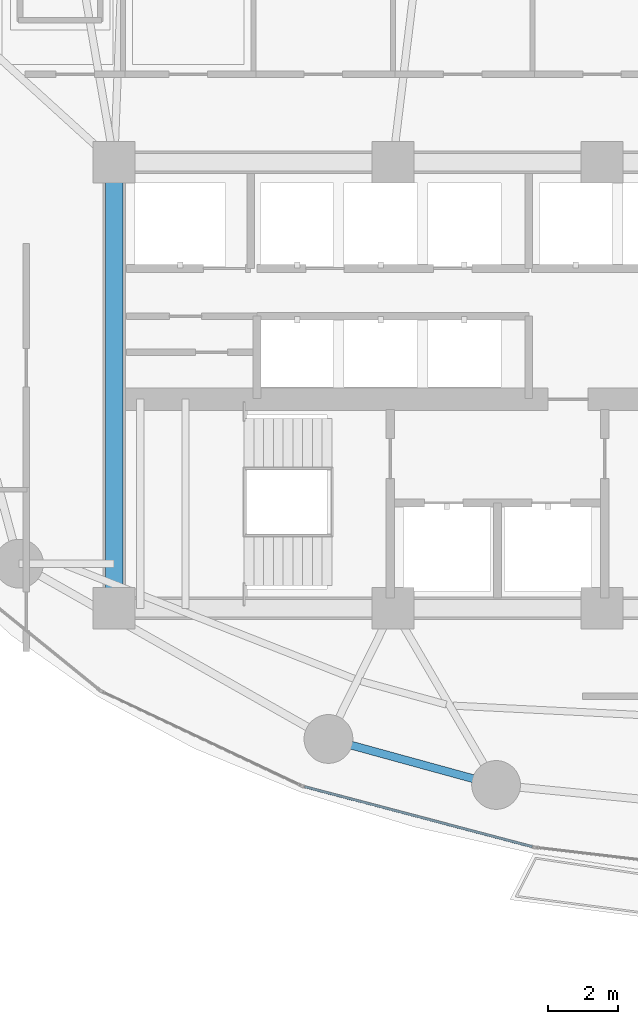
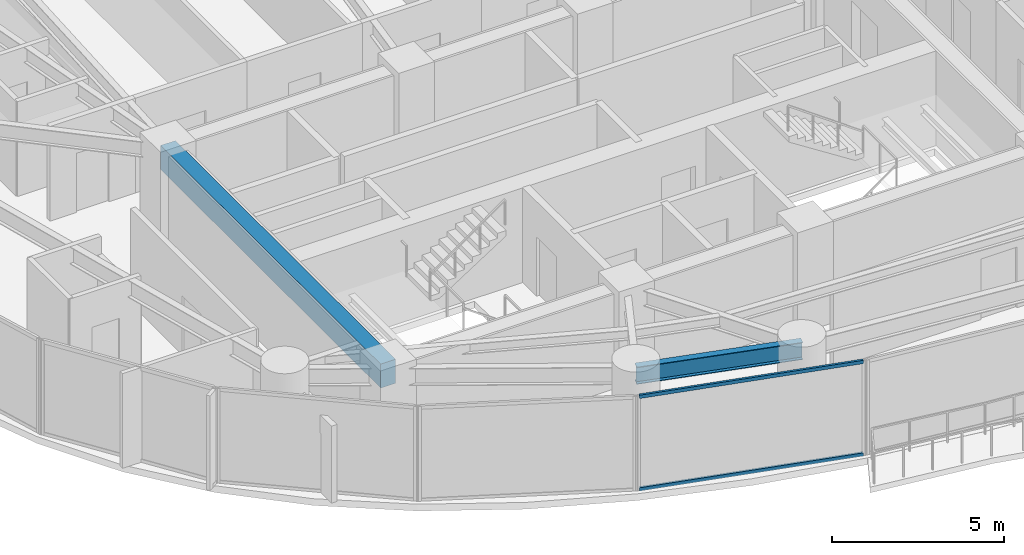
# One storey, part 4 of 32: 2 beams, 2 members, 1 element without a shape of its own.
"""IFC4 building model written with IfcOpenShell, lengths in metres."""

from ifc_helpers import new_model, si_unit, direction, frame, origin, origin_2d, place, context, subcontext, project, spatial, rectangle, hollow_rectangle, i_section, extrude, material, layer, layer_set, material_profile, profile_set, type_object, element, aggregate, save


model = new_model("IFC4")

# Units and contexts
model_context = context("Model", 3, precision=1e-05, world=origin(), true_north=direction((0.0, 1.0)))
body_context = subcontext(model_context, "Body", "Model", "MODEL_VIEW")
ifc_project = project(units=[si_unit("LENGTHUNIT", "METRE"), si_unit("AREAUNIT", "SQUARE_METRE"), si_unit("VOLUMEUNIT", "CUBIC_METRE"), si_unit("PLANEANGLEUNIT", "RADIAN"), si_unit("MASSUNIT", "GRAM", prefix="KILO")], contexts=[model_context])

# Site, building, storey
site_placement = place(None, origin())
site = spatial("IfcSite", under=ifc_project, at=site_placement, CompositionType="ELEMENT")
building_placement = place(site_placement, origin())
building = spatial("IfcBuilding", under=site, at=building_placement, Name="Kazevale Care Tower and Concert Hall", CompositionType="ELEMENT")
storey_placement = place(building_placement, frame((0.0, 0.0, 85.199951171875)))
storey = spatial("IfcBuildingStorey", under=building, at=storey_placement, Name="L22", CompositionType="ELEMENT", Elevation=85.199951171875)

# Curtain wall, members
ifc_material_1 = material(Name="Aluminium 6063-T6 and Low-E Glass", Category="aluminium")
ifc_layer = layer(ifc_material_1, 0.179931640625)
ifc_layer_set = layer_set([ifc_layer], Name="Aluminium 6063-T6 and Low-E Glass")
curtain_wall_type = type_object("IfcCurtainWallType", Name="Sheltered Concave Balcony Curtain Wall CW-5", PredefinedType="NOTDEFINED", material=ifc_layer_set)
curtain_wall_placement = place(storey_placement, origin())
curtain_wall = element("IfcCurtainWall", 1, at=curtain_wall_placement, inside=storey, type_object=curtain_wall_type, Name="cw:L22:f08", PredefinedType="NOTDEFINED")
ifc_material_2 = material(Name="Aluminium 6063-T6", Category="aluminium")
ifc_material_profile_1 = material_profile(ifc_material_2, hollow_rectangle(XDim=0.074951171875, YDim=0.1201171875, WallThickness=0.00390625, at=origin_2d()), Name="ALU75x120x4")
ifc_profile_set_1 = profile_set([ifc_material_profile_1], Name="Aluminium 6063-T6")
member_type = type_object("IfcMemberType", Name="CW-5 Transom ALU75x120x4", PredefinedType="USERDEFINED", material=ifc_profile_set_1)
member_1_placement = place(storey_placement, frame((33.995361328125, 16.760009765625, 0.03759765625), z_axis=(-0.966978405759, 0.254858319064, 0.0), x_axis=(-0.254858319064, -0.966978405759, 0.0)))
member_1 = element("IfcMember", 2, at=member_1_placement, type_object=member_type, Name="CW-5 transom 1.1", ObjectType="TRANSOM", PredefinedType="USERDEFINED", context=body_context, shape_type="SweptSolid", body=[
    extrude(hollow_rectangle(XDim=0.074951171875, YDim=0.1201171875, WallThickness=0.00390625, at=origin_2d()), origin(), (0.0, 0.0, 1.0), 6.748779296875),
])
member_2_placement = place(storey_placement, frame((33.995361328125, 16.760009765625, 3.322509765625), z_axis=(-0.966978405759, 0.254858319064, 0.0), x_axis=(-0.254858319064, -0.966978405759, 0.0)))
member_2 = element("IfcMember", 3, at=member_2_placement, type_object=member_type, Name="CW-5 transom 1.2", ObjectType="TRANSOM", PredefinedType="USERDEFINED", context=body_context, shape_type="SweptSolid", body=[
    extrude(hollow_rectangle(XDim=0.074951171875, YDim=0.1201171875, WallThickness=0.00390625, at=origin_2d()), origin(), (0.0, 0.0, 1.0), 6.748779296875),
])
aggregate(curtain_wall, [member_1, member_2])

# Beams
ifc_material_3 = material(Name="Concrete C60", Category="concrete")
ifc_material_profile_2 = material_profile(ifc_material_3, rectangle(XDim=0.5, YDim=0.85009765625, at=origin_2d()), Name="RC-B500x850")
ifc_profile_set_2 = profile_set([ifc_material_profile_2], Name="Concrete C60")
beam_type_1 = type_object("IfcBeamType", Name="Core Coupling Beam RC500x850", PredefinedType="LINTEL", material=ifc_profile_set_2)
beam_1_placement = place(storey_placement, frame((22.0, 36.39990234375, 2.93505859375), z_axis=(0.0, -1.0, 0.0), x_axis=(1.0, 0.0, 0.0)))
element("IfcBeam", 4, at=beam_1_placement, inside=storey, type_object=beam_type_1, Name="beam:L22:coretie:8", PredefinedType="LINTEL", context=body_context, shape_type="SweptSolid", body=[
    extrude(rectangle(XDim=0.5, YDim=0.85009765625, at=origin_2d()), origin(), (0.0, 0.0, 1.0), 12.7998046875),
])
ifc_material_4 = material(Name="Steel ASTM A572 Gr 50", Category="steel")
ifc_material_profile_3 = material_profile(ifc_material_4, i_section(OverallWidth=0.22900390625, OverallDepth=0.612060546875, WebThickness=0.011962890625, FlangeThickness=0.01953125, at=origin_2d()), Name="W610x125")
ifc_profile_set_3 = profile_set([ifc_material_profile_3], Name="Steel ASTM A572 Gr 50")
beam_type_2 = type_object("IfcBeamType", Name="Ring Spandrel Beam W610x125", PredefinedType="SPANDREL", material=ifc_profile_set_3)
beam_2_placement = place(storey_placement, frame((28.14990234375, 19.85009765625, 3.053955078125), z_axis=(0.964343540473, -0.264653615031, 0.0), x_axis=(0.264653615031, 0.964343540473, 0.0)))
element("IfcBeam", 5, at=beam_2_placement, inside=storey, type_object=beam_type_2, Name="beam:L22:ring:11", PredefinedType="SPANDREL", context=body_context, shape_type="SweptSolid", body=[
    extrude(i_section(OverallWidth=0.22900390625, OverallDepth=0.612060546875, WebThickness=0.011962890625, FlangeThickness=0.01953125, at=origin_2d()), origin(), (0.0, 0.0, 1.0), 4.98779296875),
])

save(model, "model.ifc")
